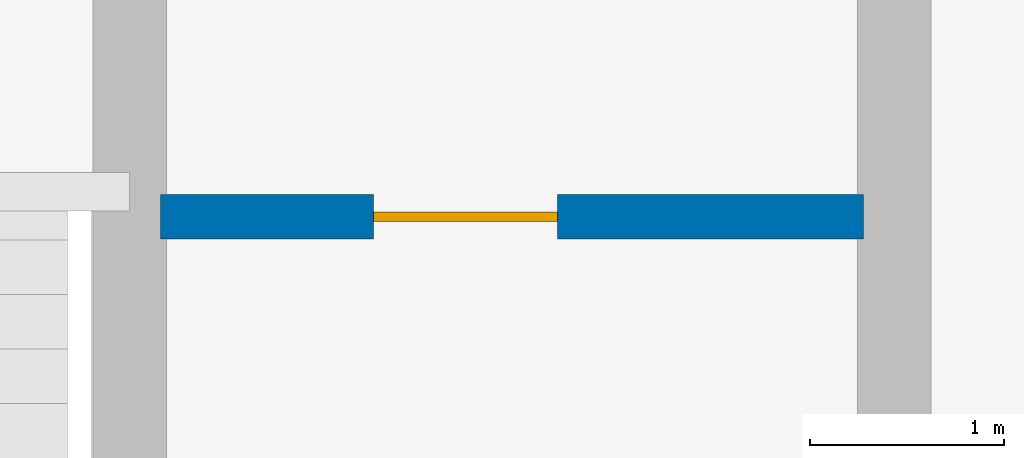
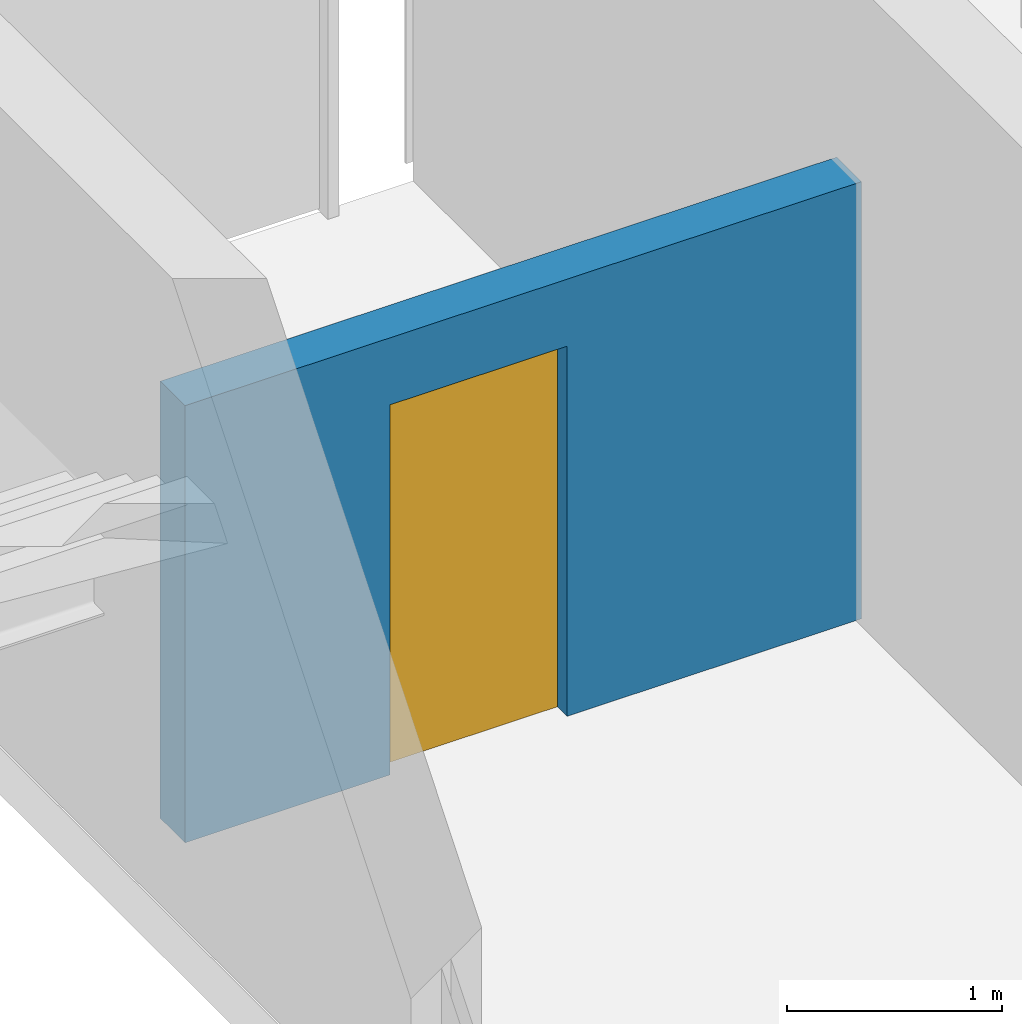
# One storey, part 55 of 96: 1 door, 1 wall, 1 opening.
"""IFC4 building model written with IfcOpenShell, lengths in metres."""

from ifc_helpers import new_model, si_unit, derived_unit, direction, frame, frame_2d, origin, place, context, subcontext, project, spatial, rectangle, extrude, material, layer, layer_set, type_object, element, fill, save


model = new_model("IFC4")

# Units and contexts
model_context = context("Model", 3, precision=1e-05, world=origin(), true_north=direction((0.0, 1.0)))
body_context = subcontext(model_context, "Body", "Model", "MODEL_VIEW")
ifc_project = project(units=[si_unit("LENGTHUNIT", "METRE"), si_unit("AREAUNIT", "SQUARE_METRE"), si_unit("VOLUMEUNIT", "CUBIC_METRE"), si_unit("PLANEANGLEUNIT", "RADIAN"), si_unit("MASSUNIT", "GRAM", prefix="KILO"), si_unit("THERMODYNAMICTEMPERATUREUNIT", "KELVIN"), derived_unit("THERMALTRANSMITTANCEUNIT", [(si_unit("POWERUNIT", "WATT"), 1), (si_unit("AREAUNIT", "SQUARE_METRE"), -1), (si_unit("THERMODYNAMICTEMPERATUREUNIT", "KELVIN"), -1)])], contexts=[model_context])

# Site, building, storey
site_placement = place(None, origin())
site = spatial("IfcSite", under=ifc_project, at=site_placement, CompositionType="ELEMENT")
building_placement = place(site_placement, origin())
building = spatial("IfcBuilding", under=site, at=building_placement, Name="Haiyu Intermodal Mobility Hub", CompositionType="ELEMENT")
storey_placement = place(building_placement, frame((0.0, 0.0, 9.5)))
storey = spatial("IfcBuildingStorey", under=building, at=storey_placement, Name="L02", CompositionType="ELEMENT", Elevation=9.5)

# Wall, opening, door
ifc_material_1 = material(Name="Autoclaved aerated concrete block A5.0", Category="concrete")
ifc_layer = layer(ifc_material_1, 0.22998046875)
ifc_layer_set = layer_set([ifc_layer], Name="Autoclaved aerated concrete block A5.0")
wall_type = type_object("IfcWallType", Name="WAL-WI01", PredefinedType="PARTITIONING", material=ifc_layer_set)
wall_placement = place(storey_placement, frame((26.2099609375, 144.0, 0.0), z_axis=(0.0, 0.0, 1.0), x_axis=(1.0, 0.0, 0.0)))
wall = element("IfcWall", 1, at=wall_placement, inside=storey, type_object=wall_type, Name="WAL-CORE-C3-LFT-L02", PredefinedType="PARTITIONING", context=body_context, shape_type="SweptSolid", body=[
    extrude(rectangle(XDim=3.630126953125, YDim=0.22998046875, at=frame_2d((1.81494140625, 0.0))), origin(), (0.0, 0.0, 1.0), 2.47998046875),
])
opening_placement = place(wall_placement, frame((1.10009765625, 0.0, 0.0)))
opening = element("IfcOpeningElement", 2, at=opening_placement, cuts=wall, Name="Opening DI07", PredefinedType="OPENING", context=body_context, shape_type="SweptSolid", body=[
    extrude(rectangle(XDim=0.949951171875, YDim=2.10009765625, at=frame_2d((0.47509765625, 1.050048828125))), frame((0.0, 0.125, 0.0), z_axis=(0.0, -1.0, 0.0), x_axis=(1.0, 0.0, 0.0)), (0.0, 0.0, 1.0), 0.25),
])
ifc_material_2 = material(Name="Steel Q355C", Category="steel")
door_type = type_object("IfcDoorType", Name="DR-DI07", OperationType="NOTDEFINED", PredefinedType="DOOR", material=ifc_material_2)
door_placement = place(opening_placement, origin())
door = element("IfcDoor", 3, at=door_placement, inside=storey, type_object=door_type, Name="Core C3 Accessible WC Door L02", OperationType="SINGLE_SWING_RIGHT", OverallHeight=2.10009765625, OverallWidth=0.949951171875, PredefinedType="DOOR", context=body_context, shape_type="SweptSolid", body=[
    extrude(rectangle(XDim=0.949951171875, YDim=2.10009765625, at=frame_2d((0.47509765625, 1.050048828125))), frame((0.0, 0.02490234375, 0.0), z_axis=(0.0, -1.0, 0.0), x_axis=(1.0, 0.0, 0.0)), (0.0, 0.0, 1.0), 0.050048828125),
])
fill(opening, door)

save(model, "model.ifc")
